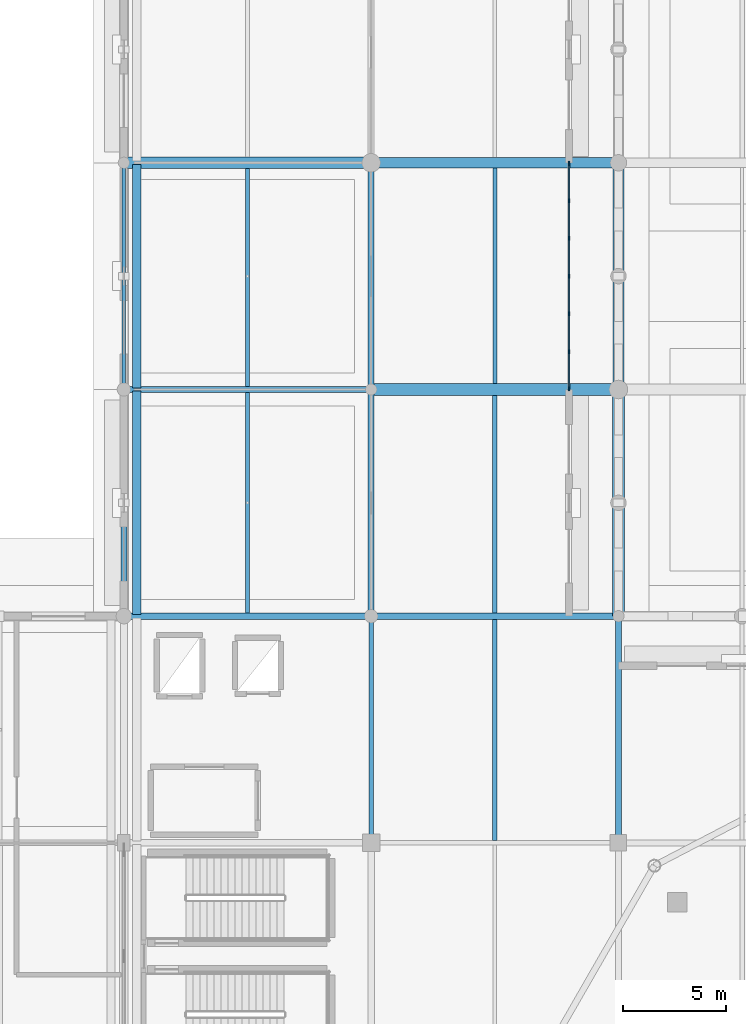
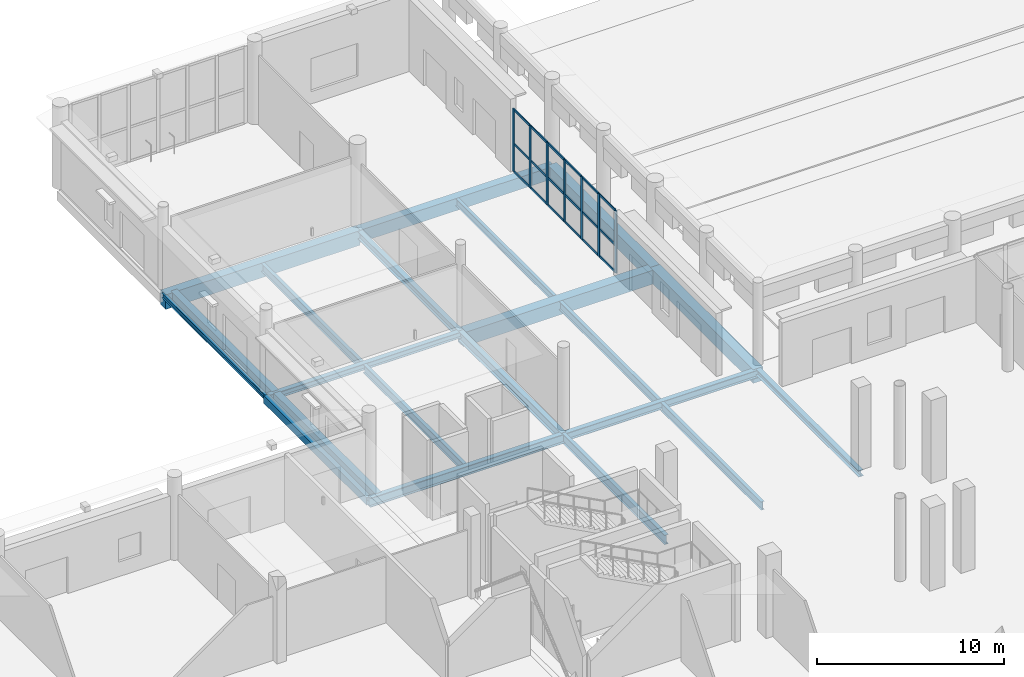
# One storey, part 24 of 120: 25 members, 21 beams, 1 element without a shape of its own.
"""IFC4 building model written with IfcOpenShell, lengths in metres."""

from ifc_helpers import new_model, si_unit, direction, frame, origin, origin_2d, place, context, subcontext, project, spatial, rectangle, hollow_rectangle, i_section, extrude, material, material_profile, profile_set, type_object, element, aggregate, save


model = new_model("IFC4")

# Units and contexts
model_context = context("Model", 3, precision=1e-05, world=origin(), true_north=direction((0.0, 1.0)))
body_context = subcontext(model_context, "Body", "Model", "MODEL_VIEW")
ifc_project = project(units=[si_unit("LENGTHUNIT", "METRE"), si_unit("AREAUNIT", "SQUARE_METRE"), si_unit("VOLUMEUNIT", "CUBIC_METRE"), si_unit("PLANEANGLEUNIT", "RADIAN"), si_unit("MASSUNIT", "GRAM", prefix="KILO")], contexts=[model_context])

# Site, building, storey
site_placement = place(None, origin())
site = spatial("IfcSite", under=ifc_project, at=site_placement, CompositionType="ELEMENT")
building_placement = place(site_placement, origin())
building = spatial("IfcBuilding", under=site, at=building_placement, Name="Luwafu Chhajja Arena", CompositionType="ELEMENT")
storey_placement = place(building_placement, origin())
storey = spatial("IfcBuildingStorey", under=building, at=storey_placement, Name="L00", CompositionType="ELEMENT", Elevation=0.0)

# Curtain wall, members
ifc_material_1 = material(Name="Anodised bronze aluminium", Category="aluminium")
curtain_wall_type = type_object("IfcCurtainWallType", Name="Pavilion Cafe Glazed Curtain Wall", PredefinedType="USERDEFINED", material=ifc_material_1)
curtain_wall_placement = place(storey_placement, origin())
curtain_wall = element("IfcCurtainWall", 1, at=curtain_wall_placement, inside=storey, type_object=curtain_wall_type, Name="L00 Curtain Wall CWG-L00-V05_10", ObjectType="CURTAIN WALL", PredefinedType="USERDEFINED")
ifc_material_profile_1 = material_profile(ifc_material_1, rectangle(XDim=0.06494140625, YDim=0.199951171875, at=origin_2d()), Name="CWM 65x200")
ifc_profile_set_1 = profile_set([ifc_material_profile_1], Name="Anodised bronze aluminium")
member_type_1 = type_object("IfcMemberType", Name="Bronze Curtain Wall Mullion 65x200", PredefinedType="MULLION", material=ifc_profile_set_1)
member_1_placement = place(storey_placement, frame((55.60009765625, 110.032470703125, 0.030029296875), z_axis=(0.0, 0.0, 1.0), x_axis=(-1.0, 0.0, 0.0)))
member_1 = element("IfcMember", 2, at=member_1_placement, type_object=member_type_1, Name="CW-07 mullion 1", PredefinedType="MULLION", context=body_context, shape_type="SweptSolid", body=[
    extrude(rectangle(XDim=0.06494140625, YDim=0.199951171875, at=origin_2d()), origin(), (0.0, 0.0, 1.0), 4.070068359375),
])
member_2_placement = place(storey_placement, frame((55.60009765625, 111.833251953125, 0.030029296875), z_axis=(0.0, 0.0, 1.0), x_axis=(-1.0, 0.0, 0.0)))
member_2 = element("IfcMember", 3, at=member_2_placement, type_object=member_type_1, Name="CW-07 mullion 2", PredefinedType="MULLION", context=body_context, shape_type="SweptSolid", body=[
    extrude(rectangle(XDim=0.06494140625, YDim=0.199951171875, at=origin_2d()), origin(), (0.0, 0.0, 1.0), 4.070068359375),
])
member_3_placement = place(storey_placement, frame((55.60009765625, 113.666748046875, 0.030029296875), z_axis=(0.0, 0.0, 1.0), x_axis=(-1.0, 0.0, 0.0)))
member_3 = element("IfcMember", 4, at=member_3_placement, type_object=member_type_1, Name="CW-07 mullion 3", PredefinedType="MULLION", context=body_context, shape_type="SweptSolid", body=[
    extrude(rectangle(XDim=0.06494140625, YDim=0.199951171875, at=origin_2d()), origin(), (0.0, 0.0, 1.0), 4.070068359375),
])
member_4_placement = place(storey_placement, frame((55.60009765625, 115.5, 0.030029296875), z_axis=(0.0, 0.0, 1.0), x_axis=(-1.0, 0.0, 0.0)))
member_4 = element("IfcMember", 5, at=member_4_placement, type_object=member_type_1, Name="CW-07 mullion 4", PredefinedType="MULLION", context=body_context, shape_type="SweptSolid", body=[
    extrude(rectangle(XDim=0.06494140625, YDim=0.199951171875, at=origin_2d()), origin(), (0.0, 0.0, 1.0), 4.070068359375),
])
member_5_placement = place(storey_placement, frame((55.60009765625, 117.333251953125, 0.030029296875), z_axis=(0.0, 0.0, 1.0), x_axis=(-1.0, 0.0, 0.0)))
member_5 = element("IfcMember", 6, at=member_5_placement, type_object=member_type_1, Name="CW-07 mullion 5", PredefinedType="MULLION", context=body_context, shape_type="SweptSolid", body=[
    extrude(rectangle(XDim=0.06494140625, YDim=0.199951171875, at=origin_2d()), origin(), (0.0, 0.0, 1.0), 4.070068359375),
])
member_6_placement = place(storey_placement, frame((55.60009765625, 119.166748046875, 0.030029296875), z_axis=(0.0, 0.0, 1.0), x_axis=(-1.0, 0.0, 0.0)))
member_6 = element("IfcMember", 7, at=member_6_placement, type_object=member_type_1, Name="CW-07 mullion 6", PredefinedType="MULLION", context=body_context, shape_type="SweptSolid", body=[
    extrude(rectangle(XDim=0.06494140625, YDim=0.199951171875, at=origin_2d()), origin(), (0.0, 0.0, 1.0), 4.070068359375),
])
member_7_placement = place(storey_placement, frame((55.60009765625, 120.967529296875, 0.030029296875), z_axis=(0.0, 0.0, 1.0), x_axis=(-1.0, 0.0, 0.0)))
member_7 = element("IfcMember", 8, at=member_7_placement, type_object=member_type_1, Name="CW-07 mullion 7", PredefinedType="MULLION", context=body_context, shape_type="SweptSolid", body=[
    extrude(rectangle(XDim=0.06494140625, YDim=0.199951171875, at=origin_2d()), origin(), (0.0, 0.0, 1.0), 4.070068359375),
])
ifc_material_profile_2 = material_profile(ifc_material_1, rectangle(XDim=0.06494140625, YDim=0.14990234375, at=origin_2d()), Name="CWT 65x150")
ifc_profile_set_2 = profile_set([ifc_material_profile_2], Name="Anodised bronze aluminium")
member_type_2 = type_object("IfcMemberType", Name="Bronze Curtain Wall Transom 65x150", PredefinedType="USERDEFINED", material=ifc_profile_set_2)
member_8_placement = place(storey_placement, frame((55.60009765625, 110.06494140625, 0.0625), z_axis=(0.0, 1.0, 0.0), x_axis=(-1.0, 0.0, 0.0)))
member_8 = element("IfcMember", 9, at=member_8_placement, type_object=member_type_2, Name="CW-07 transom 1.1", ObjectType="TRANSOM", PredefinedType="USERDEFINED", context=body_context, shape_type="SweptSolid", body=[
    extrude(rectangle(XDim=0.06494140625, YDim=0.14990234375, at=origin_2d()), origin(), (0.0, 0.0, 1.0), 1.73583984375),
])
member_9_placement = place(storey_placement, frame((55.60009765625, 110.06494140625, 1.844970703125), z_axis=(0.0, 1.0, 0.0), x_axis=(-1.0, 0.0, 0.0)))
member_9 = element("IfcMember", 10, at=member_9_placement, type_object=member_type_2, Name="CW-07 transom 1.2", ObjectType="TRANSOM", PredefinedType="USERDEFINED", context=body_context, shape_type="SweptSolid", body=[
    extrude(rectangle(XDim=0.06494140625, YDim=0.14990234375, at=origin_2d()), origin(), (0.0, 0.0, 1.0), 1.73583984375),
])
member_10_placement = place(storey_placement, frame((55.60009765625, 110.06494140625, 4.0673828125), z_axis=(0.0, 1.0, 0.0), x_axis=(-1.0, 0.0, 0.0)))
member_10 = element("IfcMember", 11, at=member_10_placement, type_object=member_type_2, Name="CW-07 transom 1.3", ObjectType="TRANSOM", PredefinedType="USERDEFINED", context=body_context, shape_type="SweptSolid", body=[
    extrude(rectangle(XDim=0.06494140625, YDim=0.14990234375, at=origin_2d()), origin(), (0.0, 0.0, 1.0), 1.73583984375),
])
member_11_placement = place(storey_placement, frame((55.60009765625, 111.86572265625, 0.0625), z_axis=(0.0, 1.0, 0.0), x_axis=(-1.0, 0.0, 0.0)))
member_11 = element("IfcMember", 12, at=member_11_placement, type_object=member_type_2, Name="CW-07 transom 2.1", ObjectType="TRANSOM", PredefinedType="USERDEFINED", context=body_context, shape_type="SweptSolid", body=[
    extrude(rectangle(XDim=0.06494140625, YDim=0.14990234375, at=origin_2d()), origin(), (0.0, 0.0, 1.0), 1.7685546875),
])
member_12_placement = place(storey_placement, frame((55.60009765625, 111.86572265625, 1.844970703125), z_axis=(0.0, 1.0, 0.0), x_axis=(-1.0, 0.0, 0.0)))
member_12 = element("IfcMember", 13, at=member_12_placement, type_object=member_type_2, Name="CW-07 transom 2.2", ObjectType="TRANSOM", PredefinedType="USERDEFINED", context=body_context, shape_type="SweptSolid", body=[
    extrude(rectangle(XDim=0.06494140625, YDim=0.14990234375, at=origin_2d()), origin(), (0.0, 0.0, 1.0), 1.7685546875),
])
member_13_placement = place(storey_placement, frame((55.60009765625, 111.86572265625, 4.0673828125), z_axis=(0.0, 1.0, 0.0), x_axis=(-1.0, 0.0, 0.0)))
member_13 = element("IfcMember", 14, at=member_13_placement, type_object=member_type_2, Name="CW-07 transom 2.3", ObjectType="TRANSOM", PredefinedType="USERDEFINED", context=body_context, shape_type="SweptSolid", body=[
    extrude(rectangle(XDim=0.06494140625, YDim=0.14990234375, at=origin_2d()), origin(), (0.0, 0.0, 1.0), 1.7685546875),
])
member_14_placement = place(storey_placement, frame((55.60009765625, 113.69921875, 0.0625), z_axis=(0.0, 1.0, 0.0), x_axis=(-1.0, 0.0, 0.0)))
member_14 = element("IfcMember", 15, at=member_14_placement, type_object=member_type_2, Name="CW-07 transom 3.1", ObjectType="TRANSOM", PredefinedType="USERDEFINED", context=body_context, shape_type="SweptSolid", body=[
    extrude(rectangle(XDim=0.06494140625, YDim=0.14990234375, at=origin_2d()), origin(), (0.0, 0.0, 1.0), 1.768310546875),
])
member_15_placement = place(storey_placement, frame((55.60009765625, 113.69921875, 1.844970703125), z_axis=(0.0, 1.0, 0.0), x_axis=(-1.0, 0.0, 0.0)))
member_15 = element("IfcMember", 16, at=member_15_placement, type_object=member_type_2, Name="CW-07 transom 3.2", ObjectType="TRANSOM", PredefinedType="USERDEFINED", context=body_context, shape_type="SweptSolid", body=[
    extrude(rectangle(XDim=0.06494140625, YDim=0.14990234375, at=origin_2d()), origin(), (0.0, 0.0, 1.0), 1.768310546875),
])
member_16_placement = place(storey_placement, frame((55.60009765625, 113.69921875, 4.0673828125), z_axis=(0.0, 1.0, 0.0), x_axis=(-1.0, 0.0, 0.0)))
member_16 = element("IfcMember", 17, at=member_16_placement, type_object=member_type_2, Name="CW-07 transom 3.3", ObjectType="TRANSOM", PredefinedType="USERDEFINED", context=body_context, shape_type="SweptSolid", body=[
    extrude(rectangle(XDim=0.06494140625, YDim=0.14990234375, at=origin_2d()), origin(), (0.0, 0.0, 1.0), 1.768310546875),
])
member_17_placement = place(storey_placement, frame((55.60009765625, 115.532470703125, 0.0625), z_axis=(0.0, 1.0, 0.0), x_axis=(-1.0, 0.0, 0.0)))
member_17 = element("IfcMember", 18, at=member_17_placement, type_object=member_type_2, Name="CW-07 transom 4.1", ObjectType="TRANSOM", PredefinedType="USERDEFINED", context=body_context, shape_type="SweptSolid", body=[
    extrude(rectangle(XDim=0.06494140625, YDim=0.14990234375, at=origin_2d()), origin(), (0.0, 0.0, 1.0), 1.768310546875),
])
member_18_placement = place(storey_placement, frame((55.60009765625, 115.532470703125, 1.844970703125), z_axis=(0.0, 1.0, 0.0), x_axis=(-1.0, 0.0, 0.0)))
member_18 = element("IfcMember", 19, at=member_18_placement, type_object=member_type_2, Name="CW-07 transom 4.2", ObjectType="TRANSOM", PredefinedType="USERDEFINED", context=body_context, shape_type="SweptSolid", body=[
    extrude(rectangle(XDim=0.06494140625, YDim=0.14990234375, at=origin_2d()), origin(), (0.0, 0.0, 1.0), 1.768310546875),
])
member_19_placement = place(storey_placement, frame((55.60009765625, 115.532470703125, 4.0673828125), z_axis=(0.0, 1.0, 0.0), x_axis=(-1.0, 0.0, 0.0)))
member_19 = element("IfcMember", 20, at=member_19_placement, type_object=member_type_2, Name="CW-07 transom 4.3", ObjectType="TRANSOM", PredefinedType="USERDEFINED", context=body_context, shape_type="SweptSolid", body=[
    extrude(rectangle(XDim=0.06494140625, YDim=0.14990234375, at=origin_2d()), origin(), (0.0, 0.0, 1.0), 1.768310546875),
])
member_20_placement = place(storey_placement, frame((55.60009765625, 117.36572265625, 0.0625), z_axis=(0.0, 1.0, 0.0), x_axis=(-1.0, 0.0, 0.0)))
member_20 = element("IfcMember", 21, at=member_20_placement, type_object=member_type_2, Name="CW-07 transom 5.1", ObjectType="TRANSOM", PredefinedType="USERDEFINED", context=body_context, shape_type="SweptSolid", body=[
    extrude(rectangle(XDim=0.06494140625, YDim=0.14990234375, at=origin_2d()), origin(), (0.0, 0.0, 1.0), 1.7685546875),
])
member_21_placement = place(storey_placement, frame((55.60009765625, 117.36572265625, 1.844970703125), z_axis=(0.0, 1.0, 0.0), x_axis=(-1.0, 0.0, 0.0)))
member_21 = element("IfcMember", 22, at=member_21_placement, type_object=member_type_2, Name="CW-07 transom 5.2", ObjectType="TRANSOM", PredefinedType="USERDEFINED", context=body_context, shape_type="SweptSolid", body=[
    extrude(rectangle(XDim=0.06494140625, YDim=0.14990234375, at=origin_2d()), origin(), (0.0, 0.0, 1.0), 1.7685546875),
])
member_22_placement = place(storey_placement, frame((55.60009765625, 117.36572265625, 4.0673828125), z_axis=(0.0, 1.0, 0.0), x_axis=(-1.0, 0.0, 0.0)))
member_22 = element("IfcMember", 23, at=member_22_placement, type_object=member_type_2, Name="CW-07 transom 5.3", ObjectType="TRANSOM", PredefinedType="USERDEFINED", context=body_context, shape_type="SweptSolid", body=[
    extrude(rectangle(XDim=0.06494140625, YDim=0.14990234375, at=origin_2d()), origin(), (0.0, 0.0, 1.0), 1.7685546875),
])
member_23_placement = place(storey_placement, frame((55.60009765625, 119.19921875, 0.0625), z_axis=(0.0, 1.0, 0.0), x_axis=(-1.0, 0.0, 0.0)))
member_23 = element("IfcMember", 24, at=member_23_placement, type_object=member_type_2, Name="CW-07 transom 6.1", ObjectType="TRANSOM", PredefinedType="USERDEFINED", context=body_context, shape_type="SweptSolid", body=[
    extrude(rectangle(XDim=0.06494140625, YDim=0.14990234375, at=origin_2d()), origin(), (0.0, 0.0, 1.0), 1.73583984375),
])
member_24_placement = place(storey_placement, frame((55.60009765625, 119.19921875, 1.844970703125), z_axis=(0.0, 1.0, 0.0), x_axis=(-1.0, 0.0, 0.0)))
member_24 = element("IfcMember", 25, at=member_24_placement, type_object=member_type_2, Name="CW-07 transom 6.2", ObjectType="TRANSOM", PredefinedType="USERDEFINED", context=body_context, shape_type="SweptSolid", body=[
    extrude(rectangle(XDim=0.06494140625, YDim=0.14990234375, at=origin_2d()), origin(), (0.0, 0.0, 1.0), 1.73583984375),
])
member_25_placement = place(storey_placement, frame((55.60009765625, 119.19921875, 4.0673828125), z_axis=(0.0, 1.0, 0.0), x_axis=(-1.0, 0.0, 0.0)))
member_25 = element("IfcMember", 26, at=member_25_placement, type_object=member_type_2, Name="CW-07 transom 6.3", ObjectType="TRANSOM", PredefinedType="USERDEFINED", context=body_context, shape_type="SweptSolid", body=[
    extrude(rectangle(XDim=0.06494140625, YDim=0.14990234375, at=origin_2d()), origin(), (0.0, 0.0, 1.0), 1.73583984375),
])
aggregate(curtain_wall, [member_1, member_2, member_3, member_4, member_5, member_6, member_7, member_8, member_9, member_10, member_11, member_12, member_13, member_14, member_15, member_16, member_17, member_18, member_19, member_20, member_21, member_22, member_23, member_24, member_25])

# Beams
ifc_material_2 = material(Name="Steel S355", Category="steel")
ifc_material_profile_3 = material_profile(ifc_material_2, i_section(OverallWidth=0.165771484375, OverallDepth=0.306640625, WebThickness=0.006591796875, FlangeThickness=0.01171875, at=origin_2d()), Name="UB 305x165x46")
ifc_profile_set_3 = profile_set([ifc_material_profile_3], Name="Steel S355")
beam_type_1 = type_object("IfcBeamType", Name="Concourse Edge Spandrel Beam UB 305x165x46", PredefinedType="SPANDREL", material=ifc_profile_set_3)
beam_1_placement = place(storey_placement, frame((34.0, 110.0, -0.50341796875), z_axis=(0.0, 1.0, 0.0), x_axis=(-1.0, 0.0, 0.0)))
element("IfcBeam", 27, at=beam_1_placement, inside=storey, type_object=beam_type_1, Name="L00 Grid Beam 4/L-M", PredefinedType="SPANDREL", context=body_context, shape_type="SweptSolid", body=[
    extrude(i_section(OverallWidth=0.165771484375, OverallDepth=0.306640625, WebThickness=0.006591796875, FlangeThickness=0.01171875, at=origin_2d()), origin(), (0.0, 0.0, 1.0), 11.0),
])
ifc_material_3 = material(Name="Concrete C35/45", Category="concrete")
ifc_material_profile_4 = material_profile(ifc_material_3, rectangle(XDim=0.60009765625, YDim=0.89990234375, at=origin_2d()), Name="RC 600x900")
ifc_profile_set_4 = profile_set([ifc_material_profile_4], Name="Concrete C35/45")
beam_type_2 = type_object("IfcBeamType", Name="Concourse Primary Girder RC 600x900", PredefinedType="BEAM", material=ifc_profile_set_4)
beam_2_placement = place(storey_placement, frame((46.0, 110.0, -0.800048828125), z_axis=(1.0, 0.0, 0.0), x_axis=(0.0, 1.0, 0.0)))
element("IfcBeam", 28, at=beam_2_placement, inside=storey, type_object=beam_type_2, Name="L00 Grid Beam 5-6/L", PredefinedType="BEAM", context=body_context, shape_type="SweptSolid", body=[
    extrude(rectangle(XDim=0.60009765625, YDim=0.89990234375, at=origin_2d()), origin(), (0.0, 0.0, 1.0), 12.0),
])
beam_3_placement = place(storey_placement, frame((58.0, 99.0, -0.800048828125), z_axis=(0.0, 1.0, 0.0), x_axis=(-1.0, 0.0, 0.0)))
element("IfcBeam", 29, at=beam_3_placement, inside=storey, type_object=beam_type_2, Name="L00 Grid Beam 6/K-L", PredefinedType="BEAM", context=body_context, shape_type="SweptSolid", body=[
    extrude(rectangle(XDim=0.60009765625, YDim=0.89990234375, at=origin_2d()), origin(), (0.0, 0.0, 1.0), 11.0),
])
ifc_material_profile_5 = material_profile(ifc_material_3, rectangle(XDim=0.550048828125, YDim=0.949951171875, at=origin_2d()), Name="RC 550x950")
ifc_profile_set_5 = profile_set([ifc_material_profile_5], Name="Concrete C35/45")
beam_type_3 = type_object("IfcBeamType", Name="Concourse Radial Girder RC 550x950", PredefinedType="BEAM", material=ifc_profile_set_5)
beam_4_placement = place(storey_placement, frame((34.0, 121.0, -0.824951171875), z_axis=(1.0, 0.0, 0.0), x_axis=(0.0, 1.0, 0.0)))
element("IfcBeam", 30, at=beam_4_placement, inside=storey, type_object=beam_type_3, Name="L00 Grid Beam 4-5/M", PredefinedType="BEAM", context=body_context, shape_type="SweptSolid", body=[
    extrude(rectangle(XDim=0.550048828125, YDim=0.949951171875, at=origin_2d()), origin(), (0.0, 0.0, 1.0), 12.0),
])
beam_5_placement = place(storey_placement, frame((58.0, 110.0, -0.824951171875), z_axis=(0.0, 1.0, 0.0), x_axis=(-1.0, 0.0, 0.0)))
element("IfcBeam", 31, at=beam_5_placement, inside=storey, type_object=beam_type_3, Name="L00 Grid Beam 6/L-M", PredefinedType="BEAM", context=body_context, shape_type="SweptSolid", body=[
    extrude(rectangle(XDim=0.550048828125, YDim=0.949951171875, at=origin_2d()), origin(), (0.0, 0.0, 1.0), 11.0),
])
ifc_material_profile_6 = material_profile(ifc_material_2, i_section(OverallWidth=0.19140625, OverallDepth=0.4599609375, WebThickness=0.010009765625, FlangeThickness=0.01611328125, at=origin_2d()), Name="UB 457x191x82")
ifc_profile_set_6 = profile_set([ifc_material_profile_6], Name="Steel S355")
beam_type_4 = type_object("IfcBeamType", Name="Floor Joist UB 457x191x82", PredefinedType="JOIST", material=ifc_profile_set_6)
beam_6_placement = place(storey_placement, frame((52.0, 110.300048828125, -0.580078125), z_axis=(0.0, 1.0, 0.0), x_axis=(-1.0, 0.0, 0.0)))
element("IfcBeam", 32, at=beam_6_placement, inside=storey, type_object=beam_type_4, Name="L00 Secondary Joist 5-6/L", PredefinedType="JOIST", context=body_context, shape_type="SweptSolid", body=[
    extrude(i_section(OverallWidth=0.19140625, OverallDepth=0.4599609375, WebThickness=0.010009765625, FlangeThickness=0.01611328125, at=origin_2d()), origin(), (0.0, 0.0, 1.0), 10.449951171875),
])
ifc_material_profile_7 = material_profile(ifc_material_2, i_section(OverallWidth=0.2099609375, OverallDepth=0.53662109375, WebThickness=0.0107421875, FlangeThickness=0.017333984375, at=origin_2d()), Name="UB 533x210x101")
ifc_profile_set_7 = profile_set([ifc_material_profile_7], Name="Steel S355")
beam_type_5 = type_object("IfcBeamType", Name="Floor Joist UB 533x210x101", PredefinedType="JOIST", material=ifc_profile_set_7)
beam_7_placement = place(storey_placement, frame((40.0, 99.14990234375, -0.618408203125), z_axis=(0.0, 1.0, 0.0), x_axis=(-1.0, 0.0, 0.0)))
element("IfcBeam", 33, at=beam_7_placement, inside=storey, type_object=beam_type_5, Name="L00 Secondary Joist 4-5/K", PredefinedType="JOIST", context=body_context, shape_type="SweptSolid", body=[
    extrude(i_section(OverallWidth=0.2099609375, OverallDepth=0.53662109375, WebThickness=0.0107421875, FlangeThickness=0.017333984375, at=origin_2d()), origin(), (0.0, 0.0, 1.0), 10.7001953125),
])
beam_8_placement = place(storey_placement, frame((52.0, 88.114501953125, -0.618408203125), z_axis=(0.0, 1.0, 0.0), x_axis=(-1.0, 0.0, 0.0)))
element("IfcBeam", 34, at=beam_8_placement, inside=storey, type_object=beam_type_5, Name="L00 Secondary Joist 5-6/J", PredefinedType="JOIST", context=body_context, shape_type="SweptSolid", body=[
    extrude(i_section(OverallWidth=0.2099609375, OverallDepth=0.53662109375, WebThickness=0.0107421875, FlangeThickness=0.017333984375, at=origin_2d()), origin(), (0.0, 0.0, 1.0), 10.735595703125),
])
ifc_material_profile_8 = material_profile(ifc_material_2, i_section(OverallWidth=0.209228515625, OverallDepth=0.533203125, WebThickness=0.010009765625, FlangeThickness=0.015625, at=origin_2d()), Name="UB 533x210x92")
ifc_profile_set_8 = profile_set([ifc_material_profile_8], Name="Steel S355")
beam_type_6 = type_object("IfcBeamType", Name="Floor Joist UB 533x210x92", PredefinedType="JOIST", material=ifc_profile_set_8)
beam_9_placement = place(storey_placement, frame((40.0, 110.14990234375, -0.616455078125), z_axis=(0.0, 1.0, 0.0), x_axis=(-1.0, 0.0, 0.0)))
element("IfcBeam", 35, at=beam_9_placement, inside=storey, type_object=beam_type_6, Name="L00 Secondary Joist 4-5/L", PredefinedType="JOIST", context=body_context, shape_type="SweptSolid", body=[
    extrude(i_section(OverallWidth=0.209228515625, OverallDepth=0.533203125, WebThickness=0.010009765625, FlangeThickness=0.015625, at=origin_2d()), origin(), (0.0, 0.0, 1.0), 10.5751953125),
])
beam_10_placement = place(storey_placement, frame((52.0, 99.14990234375, -0.616455078125), z_axis=(0.0, 1.0, 0.0), x_axis=(-1.0, 0.0, 0.0)))
element("IfcBeam", 36, at=beam_10_placement, inside=storey, type_object=beam_type_6, Name="L00 Secondary Joist 5-6/K", PredefinedType="JOIST", context=body_context, shape_type="SweptSolid", body=[
    extrude(i_section(OverallWidth=0.209228515625, OverallDepth=0.533203125, WebThickness=0.010009765625, FlangeThickness=0.015625, at=origin_2d()), origin(), (0.0, 0.0, 1.0), 10.550048828125),
])
ifc_material_profile_9 = material_profile(ifc_material_3, rectangle(XDim=0.5, YDim=0.800048828125, at=origin_2d()), Name="RC 500x800")
ifc_profile_set_9 = profile_set([ifc_material_profile_9], Name="Concrete C35/45")
beam_type_7 = type_object("IfcBeamType", Name="Hospitality Primary Beam RC 500x800", PredefinedType="BEAM", material=ifc_profile_set_9)
beam_11_placement = place(storey_placement, frame((46.0, 121.0, -0.75), z_axis=(1.0, 0.0, 0.0), x_axis=(0.0, 1.0, 0.0)))
element("IfcBeam", 37, at=beam_11_placement, inside=storey, type_object=beam_type_7, Name="L00 Grid Beam 5-6/M", PredefinedType="BEAM", context=body_context, shape_type="SweptSolid", body=[
    extrude(rectangle(XDim=0.5, YDim=0.800048828125, at=origin_2d()), origin(), (0.0, 0.0, 1.0), 12.0),
])
ifc_material_profile_10 = material_profile(ifc_material_2, hollow_rectangle(XDim=0.300048828125, YDim=0.5, WallThickness=0.02001953125, at=origin_2d()), Name="RHS 500x300x20")
ifc_profile_set_10 = profile_set([ifc_material_profile_10], Name="Steel S355")
beam_type_8 = type_object("IfcBeamType", Name="Pleated Drum Spandrel Beam RHS 500x300", PredefinedType="SPANDREL", material=ifc_profile_set_10)
beam_12_placement = place(storey_placement, frame((34.0, 99.0, -0.60009765625), z_axis=(0.0, 1.0, 0.0), x_axis=(-1.0, 0.0, 0.0)))
element("IfcBeam", 38, at=beam_12_placement, inside=storey, type_object=beam_type_8, Name="L00 Grid Beam 4/K-L", PredefinedType="SPANDREL", context=body_context, shape_type="SweptSolid", body=[
    extrude(hollow_rectangle(XDim=0.300048828125, YDim=0.5, WallThickness=0.02001953125, at=origin_2d()), origin(), (0.0, 0.0, 1.0), 11.0),
])
ifc_material_profile_11 = material_profile(ifc_material_3, rectangle(XDim=0.39990234375, YDim=0.60009765625, at=origin_2d()), Name="RC 400x600")
ifc_profile_set_11 = profile_set([ifc_material_profile_11], Name="Concrete C35/45")
beam_type_9 = type_object("IfcBeamType", Name="Podium Perimeter Spandrel RC 400x600", PredefinedType="SPANDREL", material=ifc_profile_set_11)
for number, where, z_axis, x_axis, name in (
    (39, (34.6201171875, 99.080078125, -0.64990234375), (0.0, 1.0, 0.0), (-1.0, 0.0, 0.0), "L00 Movement Joint MJ1E Seat Girder 09"),
    (40, (34.6201171875, 110.080078125, -0.64990234375), (0.0, 1.0, 0.0), (-1.0, 0.0, 0.0), "L00 Movement Joint MJ1E Seat Girder 10"),
):
    element("IfcBeam", number, at=place(storey_placement, frame(where, z_axis=z_axis, x_axis=x_axis)), inside=storey, type_object=beam_type_9, Name=name, PredefinedType="SPANDREL", context=body_context, shape_type="SweptSolid", body=[
        extrude(rectangle(XDim=0.39990234375, YDim=0.60009765625, at=origin_2d()), origin(), (0.0, 0.0, 1.0), 10.83984375),
    ])
ifc_material_profile_12 = material_profile(ifc_material_2, i_section(OverallWidth=0.300048828125, OverallDepth=0.5, WebThickness=0.014404296875, FlangeThickness=0.028076171875, at=origin_2d()), Name="HEB 500")
ifc_profile_set_12 = profile_set([ifc_material_profile_12], Name="Steel S355")
beam_type_10 = type_object("IfcBeamType", Name="Steel Atrium Tie Girder HEB 500", PredefinedType="BEAM", material=ifc_profile_set_12)
beam_13_placement = place(storey_placement, frame((46.0, 99.0, -0.60009765625), z_axis=(1.0, 0.0, 0.0), x_axis=(0.0, 1.0, 0.0)))
element("IfcBeam", 41, at=beam_13_placement, inside=storey, type_object=beam_type_10, Name="L00 Grid Beam 5-6/K", PredefinedType="BEAM", context=body_context, shape_type="SweptSolid", body=[
    extrude(i_section(OverallWidth=0.300048828125, OverallDepth=0.5, WebThickness=0.014404296875, FlangeThickness=0.028076171875, at=origin_2d()), origin(), (0.0, 0.0, 1.0), 12.0),
])
beam_14_placement = place(storey_placement, frame((46.0, 110.0, -0.60009765625), z_axis=(0.0, 1.0, 0.0), x_axis=(-1.0, 0.0, 0.0)))
element("IfcBeam", 42, at=beam_14_placement, inside=storey, type_object=beam_type_10, Name="L00 Grid Beam 5/L-M", PredefinedType="BEAM", context=body_context, shape_type="SweptSolid", body=[
    extrude(i_section(OverallWidth=0.300048828125, OverallDepth=0.5, WebThickness=0.014404296875, FlangeThickness=0.028076171875, at=origin_2d()), origin(), (0.0, 0.0, 1.0), 11.0),
])
ifc_material_profile_13 = material_profile(ifc_material_2, i_section(OverallWidth=0.300048828125, OverallDepth=0.60009765625, WebThickness=0.015380859375, FlangeThickness=0.030029296875, at=origin_2d()), Name="HEB 600")
ifc_profile_set_13 = profile_set([ifc_material_profile_13], Name="Steel S355")
beam_type_11 = type_object("IfcBeamType", Name="Steel Gallery Girder HEB 600", PredefinedType="BEAM", material=ifc_profile_set_13)
beam_15_placement = place(storey_placement, frame((34.0, 99.0, -0.64990234375), z_axis=(1.0, 0.0, 0.0), x_axis=(0.0, 1.0, 0.0)))
element("IfcBeam", 43, at=beam_15_placement, inside=storey, type_object=beam_type_11, Name="L00 Grid Beam 4-5/K", PredefinedType="BEAM", context=body_context, shape_type="SweptSolid", body=[
    extrude(i_section(OverallWidth=0.300048828125, OverallDepth=0.60009765625, WebThickness=0.015380859375, FlangeThickness=0.030029296875, at=origin_2d()), origin(), (0.0, 0.0, 1.0), 12.0),
])
beam_16_placement = place(storey_placement, frame((46.0, 99.0, -0.64990234375), z_axis=(0.0, 1.0, 0.0), x_axis=(-1.0, 0.0, 0.0)))
element("IfcBeam", 44, at=beam_16_placement, inside=storey, type_object=beam_type_11, Name="L00 Grid Beam 5/K-L", PredefinedType="BEAM", context=body_context, shape_type="SweptSolid", body=[
    extrude(i_section(OverallWidth=0.300048828125, OverallDepth=0.60009765625, WebThickness=0.015380859375, FlangeThickness=0.030029296875, at=origin_2d()), origin(), (0.0, 0.0, 1.0), 11.0),
])
ifc_material_profile_14 = material_profile(ifc_material_2, i_section(OverallWidth=0.22900390625, OverallDepth=0.6123046875, WebThickness=0.011962890625, FlangeThickness=0.01953125, at=origin_2d()), Name="UB 610x229x125")
ifc_profile_set_14 = profile_set([ifc_material_profile_14], Name="Steel S355")
beam_type_12 = type_object("IfcBeamType", Name="Steel Mezzanine Girder UB 610x229x125", PredefinedType="BEAM", material=ifc_profile_set_14)
beam_17_placement = place(storey_placement, frame((46.0, 88.0, -0.656005859375), z_axis=(0.0, 1.0, 0.0), x_axis=(-1.0, 0.0, 0.0)))
element("IfcBeam", 45, at=beam_17_placement, inside=storey, type_object=beam_type_12, Name="L00 Grid Beam 5/J-K", PredefinedType="BEAM", context=body_context, shape_type="SweptSolid", body=[
    extrude(i_section(OverallWidth=0.22900390625, OverallDepth=0.6123046875, WebThickness=0.011962890625, FlangeThickness=0.01953125, at=origin_2d()), origin(), (0.0, 0.0, 1.0), 11.0),
])
ifc_material_profile_15 = material_profile(ifc_material_2, i_section(OverallWidth=0.300048828125, OverallDepth=0.39990234375, WebThickness=0.013427734375, FlangeThickness=0.02392578125, at=origin_2d()), Name="HEB 400")
ifc_profile_set_15 = profile_set([ifc_material_profile_15], Name="Steel S355")
beam_type_13 = type_object("IfcBeamType", Name="Steel Rigging Grid Beam HEB 400", PredefinedType="BEAM", material=ifc_profile_set_15)
beam_18_placement = place(storey_placement, frame((34.0, 110.0, -0.550048828125), z_axis=(1.0, 0.0, 0.0), x_axis=(0.0, 1.0, 0.0)))
element("IfcBeam", 46, at=beam_18_placement, inside=storey, type_object=beam_type_13, Name="L00 Grid Beam 4-5/L", PredefinedType="BEAM", context=body_context, shape_type="SweptSolid", body=[
    extrude(i_section(OverallWidth=0.300048828125, OverallDepth=0.39990234375, WebThickness=0.013427734375, FlangeThickness=0.02392578125, at=origin_2d()), origin(), (0.0, 0.0, 1.0), 12.0),
])
beam_19_placement = place(storey_placement, frame((58.0, 88.0, -0.550048828125), z_axis=(0.0, 1.0, 0.0), x_axis=(-1.0, 0.0, 0.0)))
element("IfcBeam", 47, at=beam_19_placement, inside=storey, type_object=beam_type_13, Name="L00 Grid Beam 6/J-K", PredefinedType="BEAM", context=body_context, shape_type="SweptSolid", body=[
    extrude(i_section(OverallWidth=0.300048828125, OverallDepth=0.39990234375, WebThickness=0.013427734375, FlangeThickness=0.02392578125, at=origin_2d()), origin(), (0.0, 0.0, 1.0), 11.0),
])

save(model, "model.ifc")
